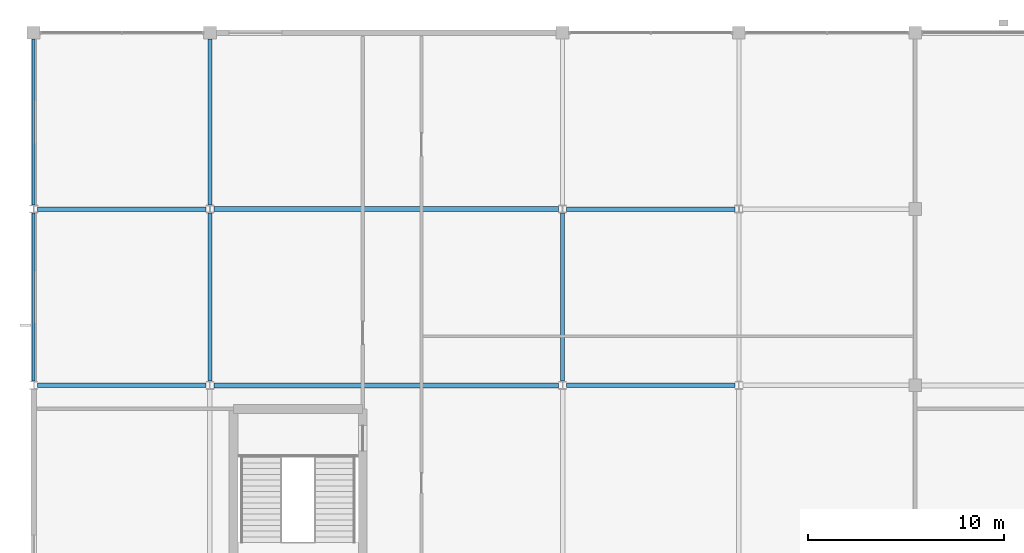
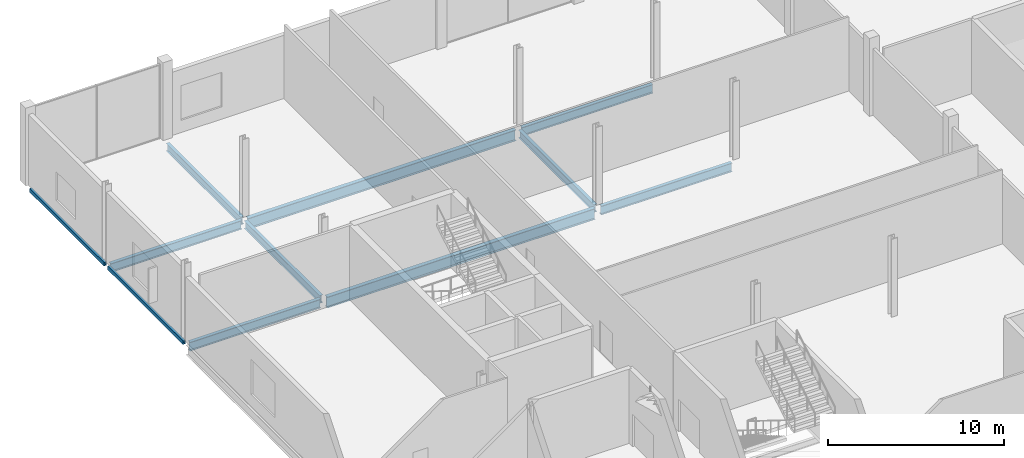
# One storey, part 28 of 111: 11 beams.
"""IFC4 building model written with IfcOpenShell, lengths in metres."""

from ifc_helpers import new_model, si_unit, direction, frame, origin, origin_2d, place, context, subcontext, project, spatial, hollow_rectangle, i_section, extrude, material, material_profile, profile_set, type_object, element, save


model = new_model("IFC4")

# Units and contexts
model_context = context("Model", 3, precision=1e-05, world=origin(), true_north=direction((0.0, 1.0)))
body_context = subcontext(model_context, "Body", "Model", "MODEL_VIEW")
ifc_project = project(units=[si_unit("LENGTHUNIT", "METRE"), si_unit("AREAUNIT", "SQUARE_METRE"), si_unit("VOLUMEUNIT", "CUBIC_METRE"), si_unit("PLANEANGLEUNIT", "RADIAN"), si_unit("MASSUNIT", "GRAM", prefix="KILO")], contexts=[model_context])

# Site, building, storey
site_placement = place(None, origin())
site = spatial("IfcSite", under=ifc_project, at=site_placement, CompositionType="ELEMENT")
building_placement = place(site_placement, origin())
building = spatial("IfcBuilding", under=site, at=building_placement, Name="Kisiwana Market Hall", CompositionType="ELEMENT")
storey_placement = place(building_placement, frame((0.0, 0.0, 11.39990234375)))
storey = spatial("IfcBuildingStorey", under=building, at=storey_placement, Name="L02", CompositionType="ELEMENT", Elevation=11.39990234375)

# Beams
ifc_material_1 = material(Name="Steel S355", Category="steel")
ifc_material_profile_1 = material_profile(ifc_material_1, i_section(OverallWidth=0.209228515625, OverallDepth=0.533203125, WebThickness=0.010009765625, FlangeThickness=0.015625, at=origin_2d()), Name="UB 533x210x92")
ifc_profile_set_1 = profile_set([ifc_material_profile_1], Name="Steel S355")
beam_type_1 = type_object("IfcBeamType", Name="BM-GIRD-UB533", PredefinedType="BEAM", material=ifc_profile_set_1)
beam_1_placement = place(storey_placement, frame((9.0, 102.21337890625, -0.516357421875), z_axis=(0.0, 1.0, 0.0), x_axis=(-1.0, 0.0, 0.0)))
element("IfcBeam", 1, at=beam_1_placement, inside=storey, type_object=beam_type_1, Name="Primary girder B-0607", PredefinedType="BEAM", context=body_context, shape_type="SweptSolid", body=[
    extrude(i_section(OverallWidth=0.209228515625, OverallDepth=0.533203125, WebThickness=0.010009765625, FlangeThickness=0.015625, at=origin_2d()), origin(), (0.0, 0.0, 1.0), 8.58740234375),
])
beam_2_placement = place(storey_placement, frame((9.0, 111.19921875, -0.516357421875), z_axis=(0.0, 1.0, 0.0), x_axis=(-1.0, 0.0, 0.0)))
element("IfcBeam", 2, at=beam_2_placement, inside=storey, type_object=beam_type_1, Name="Primary girder B-0608", PredefinedType="BEAM", context=body_context, shape_type="SweptSolid", body=[
    extrude(i_section(OverallWidth=0.209228515625, OverallDepth=0.533203125, WebThickness=0.010009765625, FlangeThickness=0.015625, at=origin_2d()), origin(), (0.0, 0.0, 1.0), 8.479736328125),
])
beam_3_placement = place(storey_placement, frame((27.0, 102.21337890625, -0.516357421875), z_axis=(0.0, 1.0, 0.0), x_axis=(-1.0, 0.0, 0.0)))
element("IfcBeam", 3, at=beam_3_placement, inside=storey, type_object=beam_type_1, Name="Primary girder B-0613", PredefinedType="BEAM", context=body_context, shape_type="SweptSolid", body=[
    extrude(i_section(OverallWidth=0.209228515625, OverallDepth=0.533203125, WebThickness=0.010009765625, FlangeThickness=0.015625, at=origin_2d()), origin(), (0.0, 0.0, 1.0), 8.58740234375),
])
ifc_material_2 = material(Name="Steel S355", Category="steel")
ifc_material_profile_2 = material_profile(ifc_material_2, i_section(OverallWidth=0.22900390625, OverallDepth=0.6123046875, WebThickness=0.011962890625, FlangeThickness=0.01953125, at=origin_2d()), Name="UB 610x229x125")
ifc_profile_set_2 = profile_set([ifc_material_profile_2], Name="Steel S355")
beam_type_2 = type_object("IfcBeamType", Name="BM-GIRD-UB610H", PredefinedType="BEAM", material=ifc_profile_set_2)
for number, where, z_axis, x_axis, name in (
    (4, (0.201904296875, 102.0, -0.555908203125), (1.0, 0.0, 0.0), (0.0, 1.0, 0.0), "Floor beam B-0789"),
    (5, (27.201904296875, 102.0, -0.555908203125), (1.0, 0.0, 0.0), (0.0, 1.0, 0.0), "Floor beam B-0791"),
):
    element("IfcBeam", number, at=place(storey_placement, frame(where, z_axis=z_axis, x_axis=x_axis)), inside=storey, type_object=beam_type_2, Name=name, PredefinedType="BEAM", context=body_context, shape_type="SweptSolid", body=[
        extrude(i_section(OverallWidth=0.22900390625, OverallDepth=0.6123046875, WebThickness=0.011962890625, FlangeThickness=0.01953125, at=origin_2d()), origin(), (0.0, 0.0, 1.0), 8.59619140625),
    ])
for number, where, z_axis, x_axis, name in (
    (6, (0.197509765625, 111.0, -0.555908203125), (1.0, 0.0, 0.0), (0.0, 1.0, 0.0), "Floor beam B-0803"),
    (7, (27.197509765625, 111.0, -0.555908203125), (1.0, 0.0, 0.0), (0.0, 1.0, 0.0), "Floor beam B-0805"),
):
    element("IfcBeam", number, at=place(storey_placement, frame(where, z_axis=z_axis, x_axis=x_axis)), inside=storey, type_object=beam_type_2, Name=name, PredefinedType="BEAM", context=body_context, shape_type="SweptSolid", body=[
        extrude(i_section(OverallWidth=0.22900390625, OverallDepth=0.6123046875, WebThickness=0.011962890625, FlangeThickness=0.01953125, at=origin_2d()), origin(), (0.0, 0.0, 1.0), 8.60498046875),
    ])
ifc_material_3 = material(Name="Steel S355", Category="steel")
ifc_material_profile_3 = material_profile(ifc_material_3, i_section(OverallWidth=0.2666015625, OverallDepth=0.76220703125, WebThickness=0.014404296875, FlangeThickness=0.021484375, at=origin_2d()), Name="UB 762x267x173")
ifc_profile_set_3 = profile_set([ifc_material_profile_3], Name="Steel S355")
beam_type_3 = type_object("IfcBeamType", Name="BM-GIRD-UB762", PredefinedType="BEAM", material=ifc_profile_set_3)
beam_4_placement = place(storey_placement, frame((9.201904296875, 102.0, -0.631103515625), z_axis=(1.0, 0.0, 0.0), x_axis=(0.0, 1.0, 0.0)))
element("IfcBeam", 8, at=beam_4_placement, inside=storey, type_object=beam_type_3, Name="Floor beam B-0790", PredefinedType="BEAM", context=body_context, shape_type="SweptSolid", body=[
    extrude(i_section(OverallWidth=0.2666015625, OverallDepth=0.76220703125, WebThickness=0.014404296875, FlangeThickness=0.021484375, at=origin_2d()), origin(), (0.0, 0.0, 1.0), 17.59619140625),
])
beam_5_placement = place(storey_placement, frame((9.197509765625, 111.0, -0.631103515625), z_axis=(1.0, 0.0, 0.0), x_axis=(0.0, 1.0, 0.0)))
element("IfcBeam", 9, at=beam_5_placement, inside=storey, type_object=beam_type_3, Name="Floor beam B-0804", PredefinedType="BEAM", context=body_context, shape_type="SweptSolid", body=[
    extrude(i_section(OverallWidth=0.2666015625, OverallDepth=0.76220703125, WebThickness=0.014404296875, FlangeThickness=0.021484375, at=origin_2d()), origin(), (0.0, 0.0, 1.0), 17.60498046875),
])
ifc_material_4 = material(Name="Steel S355", Category="steel")
ifc_material_profile_4 = material_profile(ifc_material_4, hollow_rectangle(XDim=0.14990234375, YDim=0.25, WallThickness=0.010009765625, at=origin_2d()), Name="RHS 250x150x10.0")
ifc_profile_set_4 = profile_set([ifc_material_profile_4], Name="Steel S355")
beam_type_4 = type_object("IfcBeamType", Name="BM-SPAN-RHS250", PredefinedType="SPANDREL", material=ifc_profile_set_4)
beam_6_placement = place(storey_placement, frame((0.0, 102.21337890625, -0.375), z_axis=(0.0, 1.0, 0.0), x_axis=(-1.0, 0.0, 0.0)))
element("IfcBeam", 10, at=beam_6_placement, inside=storey, type_object=beam_type_4, Name="Floor beam B-0831", PredefinedType="SPANDREL", context=body_context, shape_type="SweptSolid", body=[
    extrude(hollow_rectangle(XDim=0.14990234375, YDim=0.25, WallThickness=0.010009765625, at=origin_2d()), origin(), (0.0, 0.0, 1.0), 8.58740234375),
])
beam_7_placement = place(storey_placement, frame((0.0, 111.19921875, -0.375), z_axis=(0.0, 1.0, 0.0), x_axis=(-1.0, 0.0, 0.0)))
element("IfcBeam", 11, at=beam_7_placement, inside=storey, type_object=beam_type_4, Name="Floor beam B-0832", PredefinedType="SPANDREL", context=body_context, shape_type="SweptSolid", body=[
    extrude(hollow_rectangle(XDim=0.14990234375, YDim=0.25, WallThickness=0.010009765625, at=origin_2d()), origin(), (0.0, 0.0, 1.0), 8.479736328125),
])

save(model, "model.ifc")
